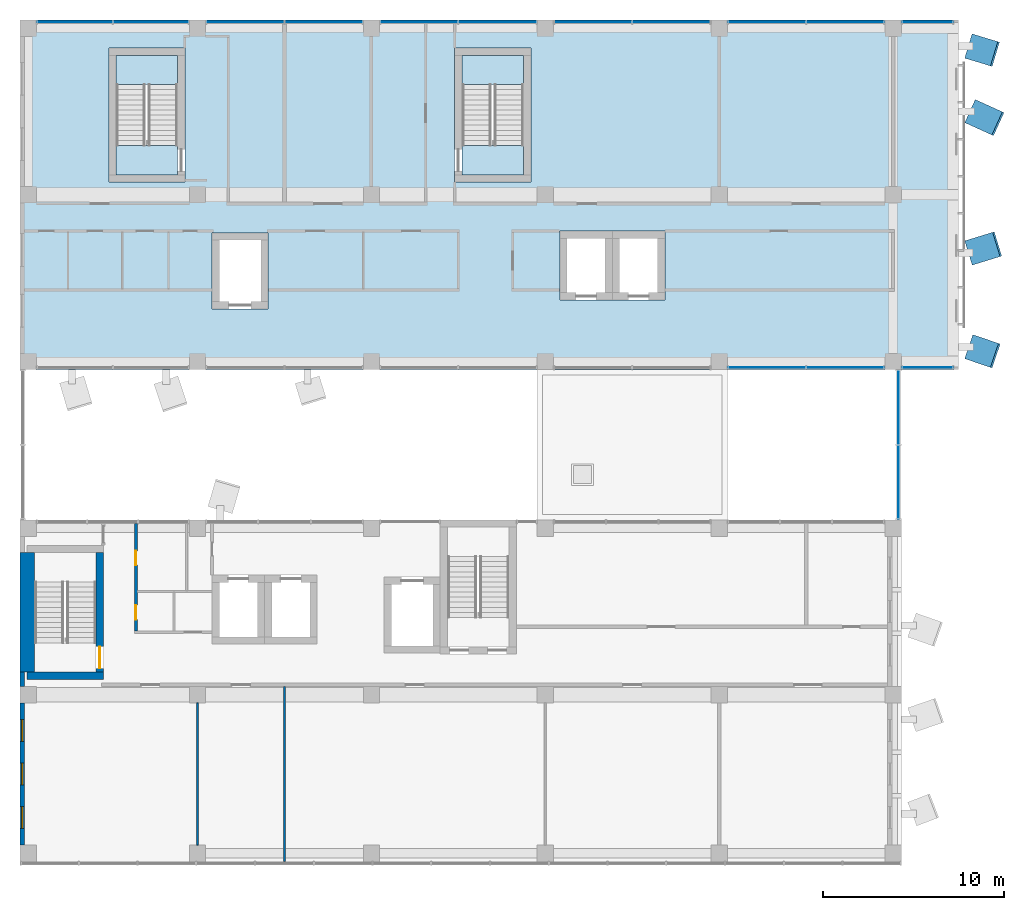
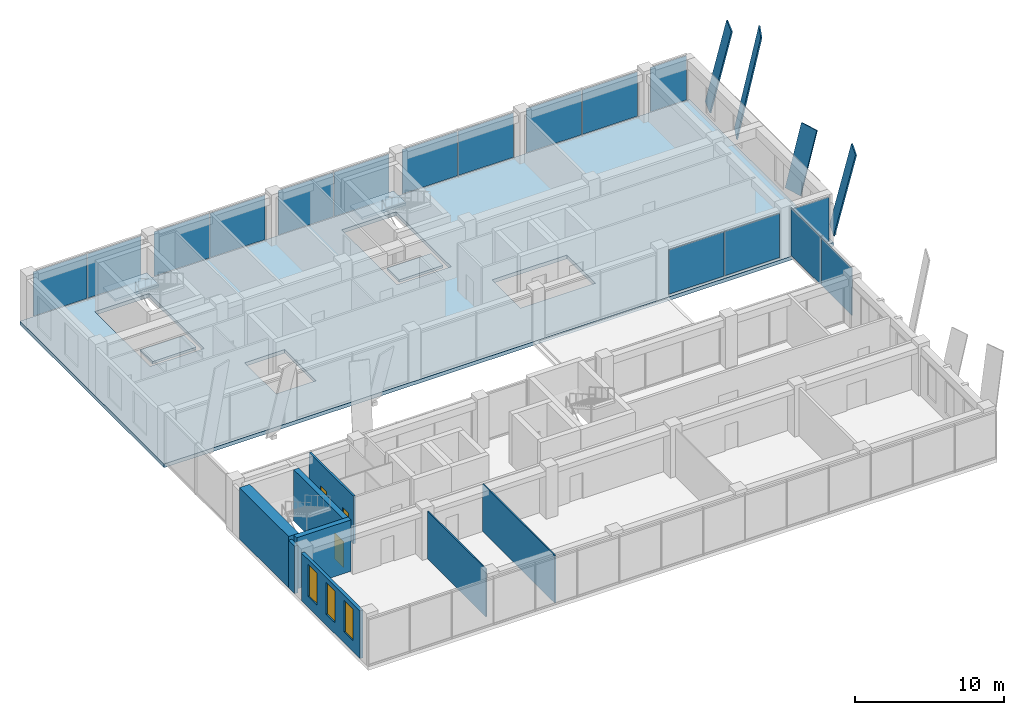
# One storey, part 27 of 38: 20 plates, 8 walls, 5 slabs, 3 doors, 3 windows, 6 openings, 11 elements without a shape of their own.
"""IFC4 building model written with IfcOpenShell, lengths in metres."""

from ifc_helpers import new_model, si_unit, direction, frame, frame_2d, origin, origin_2d, place, context, subcontext, project, spatial, polyline, rectangle, outline, extrude, material, layer, layer_set, layer_usage, material_profile, profile_set, type_object, element, fill, aggregate, save


model = new_model("IFC4")

# Units and contexts
model_context = context("Model", 3, precision=1e-05, world=origin(), true_north=direction((0.0, 1.0)))
body_context = subcontext(model_context, "Body", "Model", "MODEL_VIEW")
ifc_project = project(units=[si_unit("LENGTHUNIT", "METRE"), si_unit("AREAUNIT", "SQUARE_METRE"), si_unit("VOLUMEUNIT", "CUBIC_METRE"), si_unit("PLANEANGLEUNIT", "RADIAN"), si_unit("MASSUNIT", "GRAM", prefix="KILO")], contexts=[model_context])

# Site, building, storey
site_placement = place(None, origin())
site = spatial("IfcSite", under=ifc_project, at=site_placement, CompositionType="ELEMENT")
building_placement = place(site_placement, origin())
building = spatial("IfcBuilding", under=site, at=building_placement, Name="Nzadi Deep Aquarium and Research Tower", CompositionType="ELEMENT")
storey_placement = place(building_placement, frame((0.0, 0.0, 52.89990234375)))
storey = spatial("IfcBuildingStorey", under=building, at=storey_placement, Name="L10", CompositionType="ELEMENT", Elevation=52.89990234375)

# Plates
ifc_material_1 = material(Name="Anodised aluminium, bright", Category="aluminium")
ifc_material_profile_1 = material_profile(ifc_material_1, rectangle(XDim=1.39990234375, YDim=0.10009765625, at=origin_2d()))
ifc_profile_set_1 = profile_set([ifc_material_profile_1], Name="Anodised aluminium, bright")
plate_type_1 = type_object("IfcPlateType", Name="Fold blade anodised aluminium 1400x100, 4.8 m", PredefinedType="SHEET", material=ifc_profile_set_1)
plate_1_placement = place(storey_placement, frame((52.205810546875, 33.60009765625, 0.016845703125), z_axis=(0.320630736326, 0.098620399387, 0.942056233856), x_axis=(-0.293989958351, 0.955808508222, 0.0)))
element("IfcPlate", 1, at=plate_1_placement, inside=storey, type_object=plate_type_1, Name="FD015 fold blade EB L10", PredefinedType="SHEET", context=body_context, shape_type="SweptSolid", body=[
    extrude(rectangle(XDim=1.39990234375, YDim=0.10009765625, at=origin_2d()), origin(), (0.0, 0.0, 1.0), 4.800048828125),
])
ifc_material_2 = material(Name="Anodised aluminium, bright", Category="aluminium")
ifc_material_profile_2 = material_profile(ifc_material_2, rectangle(XDim=1.39990234375, YDim=0.10009765625, at=origin_2d()))
ifc_profile_set_2 = profile_set([ifc_material_profile_2], Name="Anodised aluminium, bright")
plate_type_2 = type_object("IfcPlateType", Name="Fold blade anodised aluminium 1400x100, 6.6 m", PredefinedType="SHEET", material=ifc_profile_set_2)
plate_2_placement = place(storey_placement, frame((52.2255859375, 28.39990234375, 0.011474609375), z_axis=(0.214549282946, -0.073020738713, 0.973979762061), x_axis=(0.322195330843, 0.946673211189, 0.0)))
element("IfcPlate", 2, at=plate_2_placement, inside=storey, type_object=plate_type_2, Name="FD014 fold blade EB L10", PredefinedType="SHEET", context=body_context, shape_type="SweptSolid", body=[
    extrude(rectangle(XDim=1.39990234375, YDim=0.10009765625, at=origin_2d()), origin(), (0.0, 0.0, 1.0), 6.599853515625),
])
plate_3_placement = place(storey_placement, frame((52.202392578125, 45.0, 0.01123046875), z_axis=(0.215323549233, -0.065029857336, 0.974375126325), x_axis=(0.289112653143, 0.95729508188, 0.0)))
element("IfcPlate", 3, at=plate_3_placement, inside=storey, type_object=plate_type_2, Name="FD017 fold blade EB L10", PredefinedType="SHEET", context=body_context, shape_type="SweptSolid", body=[
    extrude(rectangle(XDim=1.39990234375, YDim=0.10009765625, at=origin_2d()), origin(), (0.0, 0.0, 1.0), 6.60009765625),
])
ifc_material_3 = material(Name="Anodised aluminium, bright", Category="aluminium")
ifc_material_profile_3 = material_profile(ifc_material_3, rectangle(XDim=1.39990234375, YDim=0.10009765625, at=origin_2d()))
ifc_profile_set_3 = profile_set([ifc_material_profile_3], Name="Anodised aluminium, bright")
plate_type_3 = type_object("IfcPlateType", Name="Fold blade anodised aluminium 1400x100, 8.4 m", PredefinedType="SHEET", material=ifc_profile_set_3)
plate_4_placement = place(storey_placement, frame((52.289306640625, 41.39990234375, 0.010009765625), z_axis=(0.178429291859, -0.08091662299, 0.980619950812), x_axis=(0.41300921079, 0.910726848074, 0.0)))
element("IfcPlate", 4, at=plate_4_placement, inside=storey, type_object=plate_type_3, Name="FD016 fold blade EB L10", PredefinedType="SHEET", context=body_context, shape_type="SweptSolid", body=[
    extrude(rectangle(XDim=1.39990234375, YDim=0.10009765625, at=origin_2d()), origin(), (0.0, 0.0, 1.0), 8.39990234375),
])

# Curtain wall, plates
ifc_material_4 = material(Name="Aluminium unitised frame deep", Category="aluminium")
ifc_layer_1 = layer(ifc_material_4, 0.22509765625)
ifc_layer_set_1 = layer_set([ifc_layer_1], Name="Aluminium unitised frame deep")
curtain_wall_type_1 = type_object("IfcCurtainWallType", Name="Curtain wall Unitised Deep 225", PredefinedType="NOTDEFINED", material=ifc_layer_set_1)
curtain_wall_1_placement = place(storey_placement, origin())
curtain_wall_1 = element("IfcCurtainWall", 5, at=curtain_wall_1_placement, inside=storey, type_object=curtain_wall_type_1, Name="Unitised curtain wall blade B south L10", PredefinedType="NOTDEFINED")
ifc_material_5 = material(Name="Glass, sage tint", Category="glass")
ifc_layer_2 = layer(ifc_material_5, 0.0400390625)
ifc_layer_set_2 = layer_set([ifc_layer_2], Name="Glass, sage tint")
plate_type_4 = type_object("IfcPlateType", Name="Glazing panel 40 Unitised Deep", PredefinedType="CURTAIN_PANEL", material=ifc_layer_set_2)
plate_5_placement = place(storey_placement, frame((41.0400390625, 27.262451171875, 0.14013671875), z_axis=(0.0, 0.0, 1.0), x_axis=(1.0, 0.0, 0.0)))
plate_5 = element("IfcPlate", 6, at=plate_5_placement, type_object=plate_type_4, Name="CW132 panel 1.1", PredefinedType="CURTAIN_PANEL", context=body_context, shape_type="SweptSolid", body=[
    extrude(rectangle(XDim=4.260009765625, YDim=0.0400390625, at=origin_2d()), origin(), (0.0, 0.0, 1.0), 3.6201171875),
])
plate_6_placement = place(storey_placement, frame((45.360107421875, 27.262451171875, 0.14013671875), z_axis=(0.0, 0.0, 1.0), x_axis=(1.0, 0.0, 0.0)))
plate_6 = element("IfcPlate", 7, at=plate_6_placement, type_object=plate_type_4, Name="CW132 panel 2.1", PredefinedType="CURTAIN_PANEL", context=body_context, shape_type="SweptSolid", body=[
    extrude(rectangle(XDim=4.260009765625, YDim=0.0400390625, at=origin_2d()), origin(), (0.0, 0.0, 1.0), 3.6201171875),
])
aggregate(curtain_wall_1, [plate_5, plate_6])

# Curtain wall, plate
curtain_wall_2_placement = place(storey_placement, origin())
curtain_wall_2 = element("IfcCurtainWall", 8, at=curtain_wall_2_placement, inside=storey, type_object=curtain_wall_type_1, Name="Unitised curtain wall blade B south L10", PredefinedType="NOTDEFINED")
plate_7_placement = place(storey_placement, frame((49.89990234375, 27.262451171875, 0.14013671875), z_axis=(0.0, 0.0, 1.0), x_axis=(1.0, 0.0, 0.0)))
plate_7 = element("IfcPlate", 9, at=plate_7_placement, type_object=plate_type_4, Name="CW133 panel 1.1", PredefinedType="CURTAIN_PANEL", context=body_context, shape_type="SweptSolid", body=[
    extrude(rectangle(XDim=2.780029296875, YDim=0.0400390625, at=origin_2d()), origin(), (0.0, 0.0, 1.0), 3.6201171875),
])
aggregate(curtain_wall_2, [plate_7])

# Curtain wall, plates
curtain_wall_3_placement = place(storey_placement, origin())
curtain_wall_3 = element("IfcCurtainWall", 10, at=curtain_wall_3_placement, inside=storey, type_object=curtain_wall_type_1, Name="Unitised curtain wall blade B north L10", PredefinedType="NOTDEFINED")
plate_8_placement = place(storey_placement, frame((2.827392578125, 46.33740234375, 0.14013671875), z_axis=(0.0, 0.0, 1.0), x_axis=(1.0, 0.0, 0.0)))
plate_8 = element("IfcPlate", 11, at=plate_8_placement, type_object=plate_type_4, Name="CW134 panel 1.1", PredefinedType="CURTAIN_PANEL", context=body_context, shape_type="SweptSolid", body=[
    extrude(rectangle(XDim=4.135009765625, YDim=0.0400390625, at=origin_2d()), origin(), (0.0, 0.0, 1.0), 3.6201171875),
])
plate_9_placement = place(storey_placement, frame((7.0224609375, 46.33740234375, 0.14013671875), z_axis=(0.0, 0.0, 1.0), x_axis=(1.0, 0.0, 0.0)))
plate_9 = element("IfcPlate", 12, at=plate_9_placement, type_object=plate_type_4, Name="CW134 panel 2.1", PredefinedType="CURTAIN_PANEL", context=body_context, shape_type="SweptSolid", body=[
    extrude(rectangle(XDim=4.135009765625, YDim=0.0400390625, at=origin_2d()), origin(), (0.0, 0.0, 1.0), 3.6201171875),
])
aggregate(curtain_wall_3, [plate_8, plate_9])

curtain_wall_4_placement = place(storey_placement, origin())
curtain_wall_4 = element("IfcCurtainWall", 13, at=curtain_wall_4_placement, inside=storey, type_object=curtain_wall_type_1, Name="Unitised curtain wall blade B north L10", PredefinedType="NOTDEFINED")
plate_10_placement = place(storey_placement, frame((12.239990234375, 46.33740234375, 0.14013671875), z_axis=(0.0, 0.0, 1.0), x_axis=(1.0, 0.0, 0.0)))
plate_10 = element("IfcPlate", 14, at=plate_10_placement, type_object=plate_type_4, Name="CW135 panel 1.1", PredefinedType="CURTAIN_PANEL", context=body_context, shape_type="SweptSolid", body=[
    extrude(rectangle(XDim=4.260009765625, YDim=0.0400390625, at=origin_2d()), origin(), (0.0, 0.0, 1.0), 3.6201171875),
])
plate_11_placement = place(storey_placement, frame((16.56005859375, 46.33740234375, 0.14013671875), z_axis=(0.0, 0.0, 1.0), x_axis=(1.0, 0.0, 0.0)))
plate_11 = element("IfcPlate", 15, at=plate_11_placement, type_object=plate_type_4, Name="CW135 panel 2.1", PredefinedType="CURTAIN_PANEL", context=body_context, shape_type="SweptSolid", body=[
    extrude(rectangle(XDim=4.260009765625, YDim=0.0400390625, at=origin_2d()), origin(), (0.0, 0.0, 1.0), 3.6201171875),
])
aggregate(curtain_wall_4, [plate_10, plate_11])

curtain_wall_5_placement = place(storey_placement, origin())
curtain_wall_5 = element("IfcCurtainWall", 16, at=curtain_wall_5_placement, inside=storey, type_object=curtain_wall_type_1, Name="Unitised curtain wall blade B north L10", PredefinedType="NOTDEFINED")
plate_12_placement = place(storey_placement, frame((21.840087890625, 46.33740234375, 0.14013671875), z_axis=(0.0, 0.0, 1.0), x_axis=(1.0, 0.0, 0.0)))
plate_12 = element("IfcPlate", 17, at=plate_12_placement, type_object=plate_type_4, Name="CW136 panel 1.1", PredefinedType="CURTAIN_PANEL", context=body_context, shape_type="SweptSolid", body=[
    extrude(rectangle(XDim=4.260009765625, YDim=0.0400390625, at=origin_2d()), origin(), (0.0, 0.0, 1.0), 3.6201171875),
])
plate_13_placement = place(storey_placement, frame((26.159912109375, 46.33740234375, 0.14013671875), z_axis=(0.0, 0.0, 1.0), x_axis=(1.0, 0.0, 0.0)))
plate_13 = element("IfcPlate", 18, at=plate_13_placement, type_object=plate_type_4, Name="CW136 panel 2.1", PredefinedType="CURTAIN_PANEL", context=body_context, shape_type="SweptSolid", body=[
    extrude(rectangle(XDim=4.260009765625, YDim=0.0400390625, at=origin_2d()), origin(), (0.0, 0.0, 1.0), 3.6201171875),
])
aggregate(curtain_wall_5, [plate_12, plate_13])

curtain_wall_6_placement = place(storey_placement, origin())
curtain_wall_6 = element("IfcCurtainWall", 19, at=curtain_wall_6_placement, inside=storey, type_object=curtain_wall_type_1, Name="Unitised curtain wall blade B north L10", PredefinedType="NOTDEFINED")
plate_14_placement = place(storey_placement, frame((31.43994140625, 46.33740234375, 0.14013671875), z_axis=(0.0, 0.0, 1.0), x_axis=(1.0, 0.0, 0.0)))
plate_14 = element("IfcPlate", 20, at=plate_14_placement, type_object=plate_type_4, Name="CW137 panel 1.1", PredefinedType="CURTAIN_PANEL", context=body_context, shape_type="SweptSolid", body=[
    extrude(rectangle(XDim=4.260009765625, YDim=0.0400390625, at=origin_2d()), origin(), (0.0, 0.0, 1.0), 3.6201171875),
])
plate_15_placement = place(storey_placement, frame((35.760009765625, 46.33740234375, 0.14013671875), z_axis=(0.0, 0.0, 1.0), x_axis=(1.0, 0.0, 0.0)))
plate_15 = element("IfcPlate", 21, at=plate_15_placement, type_object=plate_type_4, Name="CW137 panel 2.1", PredefinedType="CURTAIN_PANEL", context=body_context, shape_type="SweptSolid", body=[
    extrude(rectangle(XDim=4.260009765625, YDim=0.0400390625, at=origin_2d()), origin(), (0.0, 0.0, 1.0), 3.6201171875),
])
aggregate(curtain_wall_6, [plate_14, plate_15])

curtain_wall_7_placement = place(storey_placement, origin())
curtain_wall_7 = element("IfcCurtainWall", 22, at=curtain_wall_7_placement, inside=storey, type_object=curtain_wall_type_1, Name="Unitised curtain wall blade B north L10", PredefinedType="NOTDEFINED")
plate_16_placement = place(storey_placement, frame((41.0400390625, 46.33740234375, 0.14013671875), z_axis=(0.0, 0.0, 1.0), x_axis=(1.0, 0.0, 0.0)))
plate_16 = element("IfcPlate", 23, at=plate_16_placement, type_object=plate_type_4, Name="CW138 panel 1.1", PredefinedType="CURTAIN_PANEL", context=body_context, shape_type="SweptSolid", body=[
    extrude(rectangle(XDim=4.260009765625, YDim=0.0400390625, at=origin_2d()), origin(), (0.0, 0.0, 1.0), 3.6201171875),
])
plate_17_placement = place(storey_placement, frame((45.360107421875, 46.33740234375, 0.14013671875), z_axis=(0.0, 0.0, 1.0), x_axis=(1.0, 0.0, 0.0)))
plate_17 = element("IfcPlate", 24, at=plate_17_placement, type_object=plate_type_4, Name="CW138 panel 2.1", PredefinedType="CURTAIN_PANEL", context=body_context, shape_type="SweptSolid", body=[
    extrude(rectangle(XDim=4.260009765625, YDim=0.0400390625, at=origin_2d()), origin(), (0.0, 0.0, 1.0), 3.6201171875),
])
aggregate(curtain_wall_7, [plate_16, plate_17])

# Curtain wall, plate
curtain_wall_8_placement = place(storey_placement, origin())
curtain_wall_8 = element("IfcCurtainWall", 25, at=curtain_wall_8_placement, inside=storey, type_object=curtain_wall_type_1, Name="Unitised curtain wall blade B north L10", PredefinedType="NOTDEFINED")
plate_18_placement = place(storey_placement, frame((49.89990234375, 46.33740234375, 0.14013671875), z_axis=(0.0, 0.0, 1.0), x_axis=(1.0, 0.0, 0.0)))
plate_18 = element("IfcPlate", 26, at=plate_18_placement, type_object=plate_type_4, Name="CW139 panel 1.1", PredefinedType="CURTAIN_PANEL", context=body_context, shape_type="SweptSolid", body=[
    extrude(rectangle(XDim=2.780029296875, YDim=0.0400390625, at=origin_2d()), origin(), (0.0, 0.0, 1.0), 3.6201171875),
])
aggregate(curtain_wall_8, [plate_18])

# Curtain wall, plates
ifc_material_6 = material(Name="Aluminium unitised frame wind post", Category="aluminium")
ifc_layer_3 = layer(ifc_material_6, 0.300048828125)
ifc_layer_set_3 = layer_set([ifc_layer_3], Name="Aluminium unitised frame wind post")
curtain_wall_type_2 = type_object("IfcCurtainWallType", Name="Curtain wall Slot End 300", PredefinedType="NOTDEFINED", material=ifc_layer_set_3)
curtain_wall_9_placement = place(storey_placement, origin())
curtain_wall_9 = element("IfcCurtainWall", 27, at=curtain_wall_9_placement, inside=storey, type_object=curtain_wall_type_2, Name="Glazed slot end east L10", PredefinedType="NOTDEFINED")
ifc_material_7 = material(Name="Glass, sage tint", Category="glass")
ifc_layer_4 = layer(ifc_material_7, 0.0439453125)
ifc_layer_set_4 = layer_set([ifc_layer_4], Name="Glass, sage tint")
plate_type_5 = type_object("IfcPlateType", Name="Glazing panel 44 Slot End", PredefinedType="CURTAIN_PANEL", material=ifc_layer_set_4)
plate_19_placement = place(storey_placement, frame((48.300048828125, 20.93994140625, 0.16015625), z_axis=(0.0, 0.0, 1.0), x_axis=(0.0, 1.0, 0.0)))
plate_19 = element("IfcPlate", 28, at=plate_19_placement, type_object=plate_type_5, Name="CW212 panel 1.1", PredefinedType="CURTAIN_PANEL", context=body_context, shape_type="SweptSolid", body=[
    extrude(rectangle(XDim=4.06005859375, YDim=0.0439453125, at=origin_2d()), origin(), (0.0, 0.0, 1.0), 3.8798828125),
])
plate_20_placement = place(storey_placement, frame((48.300048828125, 25.06005859375, 0.16015625), z_axis=(0.0, 0.0, 1.0), x_axis=(0.0, 1.0, 0.0)))
plate_20 = element("IfcPlate", 29, at=plate_20_placement, type_object=plate_type_5, Name="CW212 panel 2.1", PredefinedType="CURTAIN_PANEL", context=body_context, shape_type="SweptSolid", body=[
    extrude(rectangle(XDim=4.06005859375, YDim=0.0439453125, at=origin_2d()), origin(), (0.0, 0.0, 1.0), 3.8798828125),
])
aggregate(curtain_wall_9, [plate_19, plate_20])

# Stair, slabs
ifc_material_8 = material(Name="Concrete C35/45", Category="concrete")
stair_type = type_object("IfcStairType", Name="STAIR RETURN 3000", PredefinedType="NOTDEFINED", material=ifc_material_8)
stair_1_placement = place(storey_placement, origin())
stair_1 = element("IfcStair", 30, at=stair_1_placement, inside=storey, type_object=stair_type, Name="Stair ST-Z1-NW L10", PredefinedType="HALF_TURN_STAIR")
ifc_material_9 = material(Name="Concrete C35/45", Category="concrete")
ifc_layer_5 = layer(ifc_material_9, 0.199951171875)
ifc_layer_set_5 = layer_set([ifc_layer_5], Name="Concrete C35/45")
slab_type_1 = type_object("IfcSlabType", Name="LANDING 200", PredefinedType="LANDING", material=ifc_layer_set_5)
slab_1_placement = place(storey_placement, frame((0.0, 0.0, -0.199951171875)))
slab_1 = element("IfcSlab", 31, at=slab_1_placement, type_object=slab_type_1, Name="ST-Z1-NW landing 1", PredefinedType="LANDING", context=body_context, shape_type="SweptSolid", body=[
    extrude(outline(polyline([(5.10009765625, 37.89990234375), (8.5, 37.89990234375), (8.5, 39.52001953125), (5.10009765625, 39.52001953125), (5.10009765625, 37.89990234375)])), origin(), (0.0, 0.0, 1.0), 0.199951171875),
])
slab_2_placement = place(storey_placement, frame((0.0, 0.0, 1.900146484375)))
slab_2 = element("IfcSlab", 32, at=slab_2_placement, type_object=slab_type_1, Name="ST-Z1-NW landing 2", PredefinedType="LANDING", context=body_context, shape_type="SweptSolid", body=[
    extrude(outline(polyline([(5.10009765625, 42.8798828125), (8.5, 42.8798828125), (8.5, 44.5), (5.10009765625, 44.5), (5.10009765625, 42.8798828125)])), origin(), (0.0, 0.0, 1.0), 0.199951171875),
])
aggregate(stair_1, [slab_1, slab_2])

stair_2_placement = place(storey_placement, origin())
stair_2 = element("IfcStair", 33, at=stair_2_placement, inside=storey, type_object=stair_type, Name="Stair ST-Z1-NE L10", PredefinedType="HALF_TURN_STAIR")
slab_3_placement = place(storey_placement, frame((0.0, 0.0, -0.199951171875)))
slab_3 = element("IfcSlab", 34, at=slab_3_placement, type_object=slab_type_1, Name="ST-Z1-NE landing 1", PredefinedType="LANDING", context=body_context, shape_type="SweptSolid", body=[
    extrude(outline(polyline([(24.199951171875, 37.89990234375), (27.60009765625, 37.89990234375), (27.60009765625, 39.52001953125), (24.199951171875, 39.52001953125), (24.199951171875, 37.89990234375)])), origin(), (0.0, 0.0, 1.0), 0.199951171875),
])
slab_4_placement = place(storey_placement, frame((0.0, 0.0, 1.900146484375)))
slab_4 = element("IfcSlab", 35, at=slab_4_placement, type_object=slab_type_1, Name="ST-Z1-NE landing 2", PredefinedType="LANDING", context=body_context, shape_type="SweptSolid", body=[
    extrude(outline(polyline([(24.199951171875, 42.8798828125), (27.60009765625, 42.8798828125), (27.60009765625, 44.5), (24.199951171875, 44.5), (24.199951171875, 42.8798828125)])), origin(), (0.0, 0.0, 1.0), 0.199951171875),
])
aggregate(stair_2, [slab_3, slab_4])

# Slab
ifc_material_10 = material(Name="Concrete C35/45", Category="concrete")
ifc_layer_6 = layer(ifc_material_10, 0.300048828125)
ifc_layer_set_6 = layer_set([ifc_layer_6], Name="Concrete C35/45")
slab_type_2 = type_object("IfcSlabType", Name="RC floor slab 300", PredefinedType="FLOOR", material=ifc_layer_set_6)
slab_5_placement = place(storey_placement, frame((0.0, 0.0, -0.2998046875)))
element("IfcSlab", 36, at=slab_5_placement, inside=storey, type_object=slab_type_2, Name="Tower floor B L10", PredefinedType="FLOOR", context=body_context, shape_type="SweptSolid", body=[
    extrude(outline(polyline([(-0.199462890625, 27.14990234375), (51.60009765625, 27.14990234375), (51.60009765625, 46.449951171875), (-0.199462890625, 46.449951171875), (-0.199462890625, 27.14990234375)]), holes=[polyline([(8.89990234375, 44.89990234375), (8.89990234375, 37.5), (4.699951171875, 37.5), (4.699951171875, 44.89990234375), (8.89990234375, 44.89990234375)]), polyline([(28.0, 37.5), (23.800048828125, 37.5), (23.800048828125, 44.89990234375), (28.0, 44.89990234375), (28.0, 37.5)]), polyline([(10.39990234375, 30.5), (10.39990234375, 34.699951171875), (13.5, 34.699951171875), (13.5, 30.5), (10.39990234375, 30.5)]), polyline([(29.60009765625, 34.800048828125), (32.5, 34.800048828125), (35.39990234375, 34.800048828125), (35.39990234375, 31.0), (32.5, 31.0), (29.60009765625, 31.0), (29.60009765625, 34.800048828125)])]), origin(), (0.0, 0.0, 1.0), 0.2998046875),
])

# Wall
ifc_material_11 = material(Name="Concrete C35/45", Category="concrete")
ifc_layer_7 = layer(ifc_material_11, 0.14990234375, Category="cladding")
ifc_material_12 = material(Name="Mineral wool insulation")
ifc_layer_8 = layer(ifc_material_12, 0.070068359375, Category="insulation")
ifc_material_13 = material(Name="Gypsum board lining")
ifc_layer_9 = layer(ifc_material_13, 0.030029296875, Category="lining")
ifc_layer_set_7 = layer_set([ifc_layer_7, ifc_layer_8, ifc_layer_9], Name="Concrete C35/45, Mineral wool insulation, Gypsum board lining")
ifc_layer_usage_1 = layer_usage(ifc_layer_set_7, "AXIS2", "POSITIVE", -0.125)
wall_type_1 = type_object("IfcWallType", Name="End wall board-formed concrete 250", PredefinedType="ELEMENTEDWALL", material=ifc_layer_set_7)
wall_1_placement = place(storey_placement, frame((-0.074462890625, 10.449951171875, 0.0), z_axis=(0.0, 0.0, 1.0), x_axis=(0.0, -1.0, 0.0)))
element("IfcWall", 37, at=wall_1_placement, inside=storey, type_object=wall_type_1, material=ifc_layer_usage_1, Name="End wall blade A west L10", PredefinedType="ELEMENTEDWALL", context=body_context, shape_type="SweptSolid", body=[
    extrude(rectangle(XDim=0.800048828125, YDim=0.25, at=frame_2d((0.39990234375, 0.0))), origin(), (0.0, 0.0, 1.0), 3.900146484375),
])

# Wall, openings, windows
ifc_material_14 = material(Name="Graphite aluminium shingle", Category="aluminium")
ifc_layer_10 = layer(ifc_material_14, 0.050048828125, Category="cladding")
ifc_layer_11 = layer(ifc_material_11, 0.10009765625, Category="cladding")
ifc_layer_12 = layer(ifc_material_12, 0.070068359375, Category="insulation")
ifc_layer_13 = layer(ifc_material_13, 0.030029296875, Category="lining")
ifc_layer_set_8 = layer_set([ifc_layer_10, ifc_layer_11, ifc_layer_12, ifc_layer_13], Name="Graphite aluminium shingle, Concrete C35/45, Mineral wool insulation, Gypsum board lining")
ifc_layer_usage_2 = layer_usage(ifc_layer_set_8, "AXIS2", "POSITIVE", -0.125)
wall_type_2 = type_object("IfcWallType", Name="End wall shingle over board-formed concrete 250", PredefinedType="ELEMENTEDWALL", material=ifc_layer_set_8)
wall_2_placement = place(storey_placement, frame((-0.074462890625, 8.75, 0.0), z_axis=(0.0, 0.0, 1.0), x_axis=(0.0, -1.0, 0.0)))
wall_2 = element("IfcWall", 38, at=wall_2_placement, inside=storey, type_object=wall_type_2, material=ifc_layer_usage_2, Name="End wall blade A west L10", PredefinedType="ELEMENTEDWALL", context=body_context, shape_type="SweptSolid", body=[
    extrude(rectangle(XDim=7.85009765625, YDim=0.25, at=frame_2d((3.925048828125, 0.0))), origin(), (0.0, 0.0, 1.0), 3.900146484375),
])
opening_1_placement = place(wall_2_placement, frame((5.72509765625, 0.0, 0.89990234375)))
opening_1 = element("IfcOpeningElement", 39, at=opening_1_placement, cuts=wall_2, Name="Opening WN04", PredefinedType="OPENING", context=body_context, shape_type="SweptSolid", body=[
    extrude(rectangle(XDim=1.199951171875, YDim=2.60009765625, at=frame_2d((0.60009765625, 1.300048828125))), frame((0.0, 0.135009765625, 0.0), z_axis=(0.0, -1.0, 0.0), x_axis=(1.0, 0.0, 0.0)), (0.0, 0.0, 1.0), 0.27001953125),
])
opening_2_placement = place(wall_2_placement, frame((3.324951171875, 0.0, 0.89990234375)))
opening_2 = element("IfcOpeningElement", 40, at=opening_2_placement, cuts=wall_2, Name="Opening WN04", PredefinedType="OPENING", context=body_context, shape_type="SweptSolid", body=[
    extrude(rectangle(XDim=1.199951171875, YDim=2.60009765625, at=frame_2d((0.60009765625, 1.300048828125))), frame((0.0, 0.135009765625, 0.0), z_axis=(0.0, -1.0, 0.0), x_axis=(1.0, 0.0, 0.0)), (0.0, 0.0, 1.0), 0.27001953125),
])
opening_3_placement = place(wall_2_placement, frame((0.925048828125, 0.0, 0.89990234375)))
opening_3 = element("IfcOpeningElement", 41, at=opening_3_placement, cuts=wall_2, Name="Opening WN04", PredefinedType="OPENING", context=body_context, shape_type="SweptSolid", body=[
    extrude(rectangle(XDim=1.199951171875, YDim=2.60009765625, at=frame_2d((0.60009765625, 1.300048828125))), frame((0.0, 0.135009765625, 0.0), z_axis=(0.0, -1.0, 0.0), x_axis=(1.0, 0.0, 0.0)), (0.0, 0.0, 1.0), 0.27001953125),
])
ifc_material_15 = material(Name="Aluminium window, sage tint glazing", Category="aluminium")
window_type = type_object("IfcWindowType", Name="Slot window 1200x2600 sill 900", PartitioningType="SINGLE_PANEL", PredefinedType="WINDOW", material=ifc_material_15)
window_1_placement = place(opening_1_placement, origin())
window_1 = element("IfcWindow", 42, at=window_1_placement, inside=storey, type_object=window_type, Name="Slot window L10 AW", OverallHeight=2.60009765625, OverallWidth=1.199951171875, PartitioningType="SINGLE_PANEL", PredefinedType="WINDOW", context=body_context, shape_type="SweptSolid", body=[
    extrude(rectangle(XDim=1.199951171875, YDim=2.60009765625, at=frame_2d((0.60009765625, 1.300048828125))), frame((0.0, 0.030029296875, 0.0), z_axis=(0.0, -1.0, 0.0), x_axis=(1.0, 0.0, 0.0)), (0.0, 0.0, 1.0), 0.06005859375),
])
fill(opening_1, window_1)
window_2_placement = place(opening_2_placement, origin())
window_2 = element("IfcWindow", 43, at=window_2_placement, inside=storey, type_object=window_type, Name="Slot window L10 AW", OverallHeight=2.60009765625, OverallWidth=1.199951171875, PartitioningType="SINGLE_PANEL", PredefinedType="WINDOW", context=body_context, shape_type="SweptSolid", body=[
    extrude(rectangle(XDim=1.199951171875, YDim=2.60009765625, at=frame_2d((0.60009765625, 1.300048828125))), frame((0.0, 0.030029296875, 0.0), z_axis=(0.0, -1.0, 0.0), x_axis=(1.0, 0.0, 0.0)), (0.0, 0.0, 1.0), 0.06005859375),
])
fill(opening_2, window_2)
window_3_placement = place(opening_3_placement, origin())
window_3 = element("IfcWindow", 44, at=window_3_placement, inside=storey, type_object=window_type, Name="Slot window L10 AW", OverallHeight=2.60009765625, OverallWidth=1.199951171875, PartitioningType="SINGLE_PANEL", PredefinedType="WINDOW", context=body_context, shape_type="SweptSolid", body=[
    extrude(rectangle(XDim=1.199951171875, YDim=2.60009765625, at=frame_2d((0.60009765625, 1.300048828125))), frame((0.0, 0.030029296875, 0.0), z_axis=(0.0, -1.0, 0.0), x_axis=(1.0, 0.0, 0.0)), (0.0, 0.0, 1.0), 0.06005859375),
])
fill(opening_3, window_3)

# Walls
ifc_material_16 = material(Name="Blockwork masonry", Category="masonry")
ifc_layer_14 = layer(ifc_material_16, 0.10009765625)
ifc_layer_set_9 = layer_set([ifc_layer_14], Name="Blockwork masonry")
wall_type_3 = type_object("IfcWallType", Name="Partition 100 EI 30", PredefinedType="PARTITIONING", material=ifc_layer_set_9)
wall_3_placement = place(storey_placement, frame((9.60009765625, 0.89990234375, 0.0), z_axis=(0.0, 0.0, 1.0), x_axis=(0.0, 1.0, 0.0)))
element("IfcWall", 45, at=wall_3_placement, inside=storey, type_object=wall_type_3, Name="W-Z1-L10-P017", PredefinedType="PARTITIONING", context=body_context, shape_type="SweptSolid", body=[
    extrude(rectangle(XDim=7.85009765625, YDim=0.10009765625, at=frame_2d((3.925048828125, 0.0))), origin(), (0.0, 0.0, 1.0), 3.900146484375),
])
wall_4_placement = place(storey_placement, frame((14.39990234375, 0.006103515625, 0.0), z_axis=(0.0, 0.0, 1.0), x_axis=(0.0, 1.0, 0.0)))
element("IfcWall", 46, at=wall_4_placement, inside=storey, type_object=wall_type_3, Name="W-Z1-L10-P025", PredefinedType="PARTITIONING", context=body_context, shape_type="SweptSolid", body=[
    extrude(rectangle(XDim=9.643798828125, YDim=0.10009765625, at=frame_2d((4.82177734375, 0.0))), origin(), (0.0, 0.0, 1.0), 3.900146484375),
])

# Wall, openings, doors
ifc_material_17 = material(Name="Blockwork masonry", Category="masonry")
ifc_layer_15 = layer(ifc_material_17, 0.14990234375)
ifc_layer_set_10 = layer_set([ifc_layer_15], Name="Blockwork masonry")
wall_type_4 = type_object("IfcWallType", Name="Partition 150 EI 60", PredefinedType="PARTITIONING", material=ifc_layer_set_10)
wall_5_placement = place(storey_placement, frame((6.199951171875, 12.72509765625, 0.0), z_axis=(0.0, 0.0, 1.0), x_axis=(0.0, 1.0, 0.0)))
wall_5 = element("IfcWall", 47, at=wall_5_placement, inside=storey, type_object=wall_type_4, Name="W-Z1-L10-P009", PredefinedType="PARTITIONING", context=body_context, shape_type="SweptSolid", body=[
    extrude(rectangle(XDim=5.9189453125, YDim=0.14990234375, at=frame_2d((2.95947265625, 0.0))), origin(), (0.0, 0.0, 1.0), 3.900146484375),
])
opening_4_placement = place(wall_5_placement, frame((0.625, 0.0, 0.0)))
opening_4 = element("IfcOpeningElement", 48, at=opening_4_placement, cuts=wall_5, Name="Opening D111002", PredefinedType="OPENING", context=body_context, shape_type="SweptSolid", body=[
    extrude(rectangle(XDim=0.800048828125, YDim=2.10009765625, at=frame_2d((0.39990234375, 1.050048828125))), frame((0.0, 0.0849609375, 0.0), z_axis=(0.0, -1.0, 0.0), x_axis=(1.0, 0.0, 0.0)), (0.0, 0.0, 1.0), 0.169921875),
])
opening_5_placement = place(wall_5_placement, frame((3.625, 0.0, 0.0)))
opening_5 = element("IfcOpeningElement", 49, at=opening_5_placement, cuts=wall_5, Name="Opening D111004", PredefinedType="OPENING", context=body_context, shape_type="SweptSolid", body=[
    extrude(rectangle(XDim=0.800048828125, YDim=2.10009765625, at=frame_2d((0.39990234375, 1.050048828125))), frame((0.0, 0.0849609375, 0.0), z_axis=(0.0, -1.0, 0.0), x_axis=(1.0, 0.0, 0.0)), (0.0, 0.0, 1.0), 0.169921875),
])
ifc_material_18 = material(Name="Fire-rated steel door", Category="steel")
ifc_layer_16 = layer(ifc_material_18, 0.050048828125)
ifc_layer_set_11 = layer_set([ifc_layer_16], Name="Fire-rated steel door")
door_type_1 = type_object("IfcDoorType", Name="Door 800x2100 EI 60 single", OperationType="SINGLE_SWING_LEFT", PredefinedType="DOOR", material=ifc_layer_set_11)
door_1_placement = place(opening_4_placement, origin())
door_1 = element("IfcDoor", 50, at=door_1_placement, inside=storey, type_object=door_type_1, Name="D111002", OperationType="SINGLE_SWING_LEFT", OverallHeight=2.10009765625, OverallWidth=0.800048828125, PredefinedType="DOOR", context=body_context, shape_type="SweptSolid", body=[
    extrude(rectangle(XDim=0.800048828125, YDim=2.10009765625, at=frame_2d((0.39990234375, 1.050048828125))), frame((0.0, 0.02490234375, 0.0), z_axis=(0.0, -1.0, 0.0), x_axis=(1.0, 0.0, 0.0)), (0.0, 0.0, 1.0), 0.050048828125),
])
fill(opening_4, door_1)
door_2_placement = place(opening_5_placement, origin())
door_2 = element("IfcDoor", 51, at=door_2_placement, inside=storey, type_object=door_type_1, Name="D111004", OperationType="SINGLE_SWING_LEFT", OverallHeight=2.10009765625, OverallWidth=0.800048828125, PredefinedType="DOOR", context=body_context, shape_type="SweptSolid", body=[
    extrude(rectangle(XDim=0.800048828125, YDim=2.10009765625, at=frame_2d((0.39990234375, 1.050048828125))), frame((0.0, 0.02490234375, 0.0), z_axis=(0.0, -1.0, 0.0), x_axis=(1.0, 0.0, 0.0)), (0.0, 0.0, 1.0), 0.050048828125),
])
fill(opening_5, door_2)

# Wall
ifc_material_19 = material(Name="Concrete C35/45", Category="concrete")
ifc_layer_17 = layer(ifc_material_19, 0.39990234375)
ifc_layer_set_12 = layer_set([ifc_layer_17], Name="Concrete C35/45")
wall_type_5 = type_object("IfcWallType", Name="RC core wall 400", PredefinedType="SHEAR", material=ifc_layer_set_12)
wall_6_placement = place(storey_placement, frame((0.199951171875, 10.25, 0.0), z_axis=(0.0, 0.0, 1.0), x_axis=(1.0, 0.0, 0.0)))
element("IfcWall", 52, at=wall_6_placement, inside=storey, type_object=wall_type_5, Name="W-CORE-ST-Z1-SW-L10-S", PredefinedType="SHEAR", context=body_context, shape_type="SweptSolid", body=[
    extrude(rectangle(XDim=4.199951171875, YDim=0.39990234375, at=frame_2d((2.10009765625, 0.0))), origin(), (0.0, 0.0, 1.0), 4.2001953125),
])

# Wall, opening, door
wall_7_placement = place(storey_placement, frame((4.199951171875, 10.449951171875, 0.0), z_axis=(0.0, 0.0, 1.0), x_axis=(0.0, 1.0, 0.0)))
wall_7 = element("IfcWall", 53, at=wall_7_placement, inside=storey, type_object=wall_type_5, Name="W-CORE-ST-Z1-SW-L10-E", PredefinedType="SHEAR", context=body_context, shape_type="SweptSolid", body=[
    extrude(rectangle(XDim=6.60009765625, YDim=0.39990234375, at=frame_2d((3.300048828125, 0.0))), origin(), (0.0, 0.0, 1.0), 4.2001953125),
])
opening_6_placement = place(wall_7_placement, frame((0.2099609375, 0.0, 0.0)))
opening_6 = element("IfcOpeningElement", 54, at=opening_6_placement, cuts=wall_7, Name="Opening DS-Z1-SW-L10", PredefinedType="OPENING", context=body_context, shape_type="SweptSolid", body=[
    extrude(rectangle(XDim=1.199951171875, YDim=2.10009765625, at=frame_2d((0.60009765625, 1.050048828125))), frame((0.0, 0.2099609375, 0.0), z_axis=(0.0, -1.0, 0.0), x_axis=(1.0, 0.0, 0.0)), (0.0, 0.0, 1.0), 0.419921875),
])
ifc_material_20 = material(Name="Steel, powder coated", Category="steel")
door_type_2 = type_object("IfcDoorType", Name="STAIR DOOR 1200x2100 EI 60", OperationType="SINGLE_SWING_LEFT", PredefinedType="DOOR", material=ifc_material_20)
door_3_placement = place(opening_6_placement, origin())
door_3 = element("IfcDoor", 55, at=door_3_placement, inside=storey, type_object=door_type_2, Name="Stair door ST-Z1-SW L10", OperationType="SINGLE_SWING_RIGHT", OverallHeight=2.10009765625, OverallWidth=1.199951171875, PredefinedType="DOOR", context=body_context, shape_type="SweptSolid", body=[
    extrude(rectangle(XDim=1.199951171875, YDim=2.10009765625, at=frame_2d((0.60009765625, 1.050048828125))), frame((0.0, 0.02490234375, 0.0), z_axis=(0.0, -1.0, 0.0), x_axis=(1.0, 0.0, 0.0)), (0.0, 0.0, 1.0), 0.050048828125),
])
fill(opening_6, door_3)

# Wall
ifc_material_21 = material(Name="Concrete C35/45", Category="concrete")
ifc_layer_18 = layer(ifc_material_21, 0.800048828125)
ifc_layer_set_13 = layer_set([ifc_layer_18], Name="Concrete C35/45")
wall_type_6 = type_object("IfcWallType", Name="RC core wall 800", PredefinedType="SHEAR", material=ifc_layer_set_13)
wall_8_placement = place(storey_placement, frame((0.200439453125, 10.449951171875, 0.0), z_axis=(0.0, 0.0, 1.0), x_axis=(0.0, 1.0, 0.0)))
element("IfcWall", 56, at=wall_8_placement, inside=storey, type_object=wall_type_6, Name="W-CORE-ST-Z1-SW-L10-W", PredefinedType="SHEAR", context=body_context, shape_type="SweptSolid", body=[
    extrude(rectangle(XDim=6.60009765625, YDim=0.800048828125, at=frame_2d((3.300048828125, 0.0))), origin(), (0.0, 0.0, 1.0), 4.2001953125),
])

save(model, "model.ifc")
